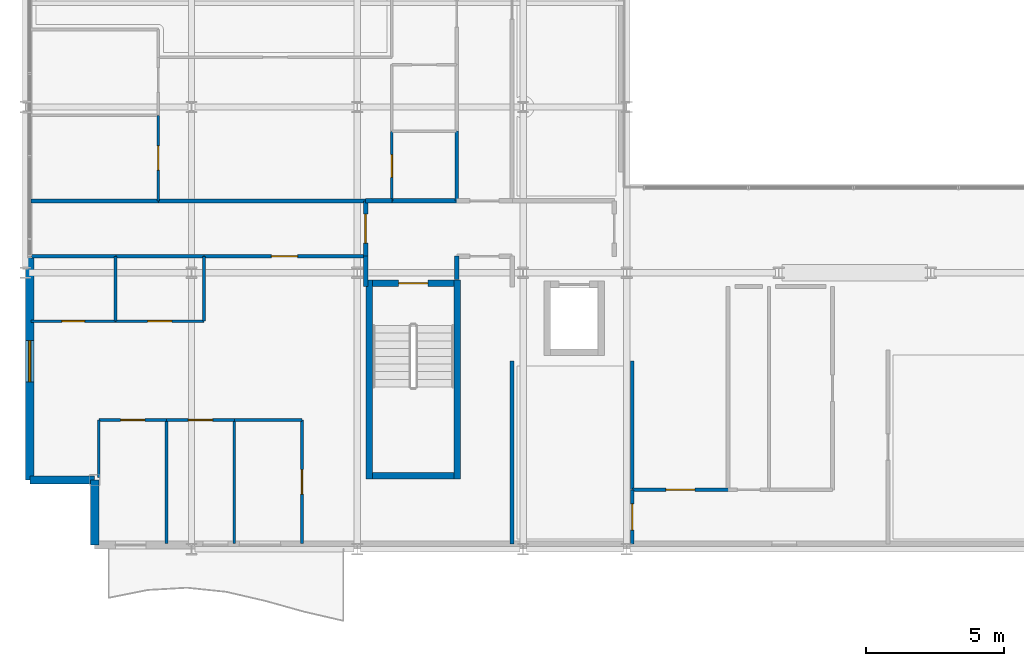
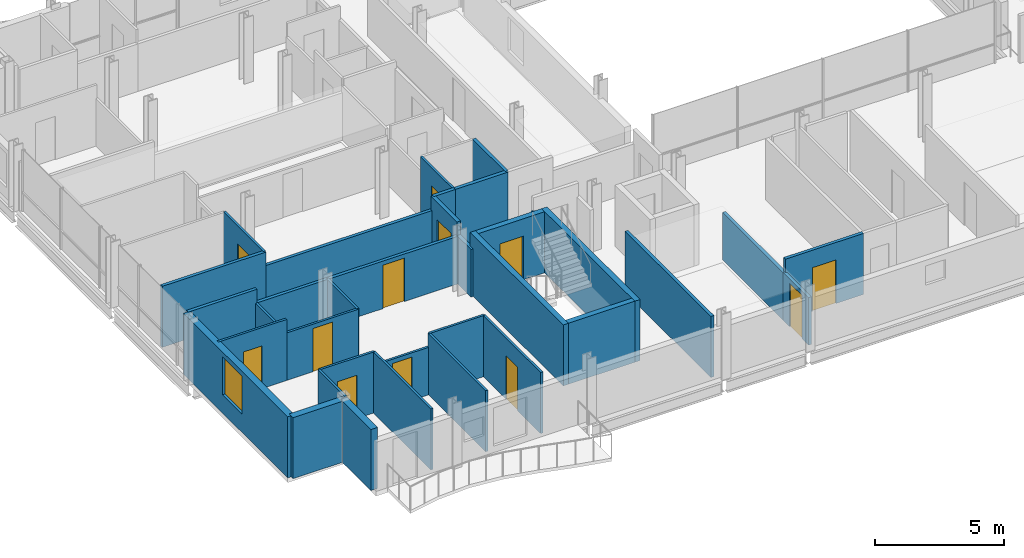
# One storey, part 33 of 41: 35 walls, 12 doors, 1 window, 13 openings.
"""IFC4 building model written with IfcOpenShell, lengths in metres."""

from ifc_helpers import new_model, si_unit, direction, frame, frame_2d, origin, place, context, subcontext, project, spatial, rectangle, extrude, material, layer, layer_set, type_object, element, fill, save


model = new_model("IFC4")

# Units and contexts
model_context = context("Model", 3, precision=1e-05, world=origin(), true_north=direction((0.0, 1.0)))
body_context = subcontext(model_context, "Body", "Model", "MODEL_VIEW")
ifc_project = project(units=[si_unit("LENGTHUNIT", "METRE"), si_unit("AREAUNIT", "SQUARE_METRE"), si_unit("VOLUMEUNIT", "CUBIC_METRE"), si_unit("PLANEANGLEUNIT", "RADIAN"), si_unit("MASSUNIT", "GRAM", prefix="KILO")], contexts=[model_context])

# Site, building, storey
site_placement = place(None, origin())
site = spatial("IfcSite", under=ifc_project, at=site_placement, CompositionType="ELEMENT")
building_placement = place(site_placement, origin())
building = spatial("IfcBuilding", under=site, at=building_placement, Name="Brevholm Reach", CompositionType="ELEMENT")
storey_placement = place(building_placement, frame((0.0, 0.0, 157.300048828125)))
storey = spatial("IfcBuildingStorey", under=building, at=storey_placement, Name="L47", CompositionType="ELEMENT", Elevation=157.300048828125)

# Walls
ifc_material_1 = material(Name="Concrete C45/55", Category="concrete")
ifc_layer_1 = layer(ifc_material_1, 0.239990234375)
ifc_layer_set_1 = layer_set([ifc_layer_1], Name="Concrete C45/55")
wall_type_1 = type_object("IfcWallType", Name="WAL-COR-240", PredefinedType="SHEAR", material=ifc_layer_set_1)
for number, where, z_axis, x_axis, name in (
    (1, (12.429931640625, 2.5400390625, 0.0), (0.0, 0.0, 1.0), (0.0, 1.0, 0.0), "L47 Escape Stair ST-1 Core Wall W"),
    (2, (15.6201171875, 2.5400390625, 0.0), (0.0, 0.0, 1.0), (0.0, 1.0, 0.0), "L47 Escape Stair ST-1 Core Wall E"),
):
    element("IfcWall", number, at=place(storey_placement, frame(where, z_axis=z_axis, x_axis=x_axis)), inside=storey, type_object=wall_type_1, Name=name, PredefinedType="SHEAR", context=body_context, shape_type="SweptSolid", body=[
        extrude(rectangle(XDim=7.199951171875, YDim=0.239990234375, at=frame_2d((3.60009765625, 0.0))), origin(), (0.0, 0.0, 1.0), 2.8798828125),
    ])
wall_1_placement = place(storey_placement, frame((12.550048828125, 2.659912109375, 0.0), z_axis=(0.0, 0.0, 1.0), x_axis=(1.0, 0.0, 0.0)))
element("IfcWall", 3, at=wall_1_placement, inside=storey, type_object=wall_type_1, Name="L47 Escape Stair ST-1 Core Wall S", PredefinedType="SHEAR", context=body_context, shape_type="SweptSolid", body=[
    extrude(rectangle(XDim=2.949951171875, YDim=0.239990234375, at=frame_2d((1.47509765625, 0.0))), origin(), (0.0, 0.0, 1.0), 2.8798828125),
])

# Wall, opening, door
wall_2_placement = place(storey_placement, frame((15.5, 9.6201171875, 0.0), z_axis=(0.0, 0.0, 1.0), x_axis=(-1.0, 0.0, 0.0)))
wall_2 = element("IfcWall", 4, at=wall_2_placement, inside=storey, type_object=wall_type_1, Name="L47 Escape Stair ST-1 Core Wall N", PredefinedType="SHEAR", context=body_context, shape_type="SweptSolid", body=[
    extrude(rectangle(XDim=2.949951171875, YDim=0.239990234375, at=frame_2d((1.47509765625, 0.0))), origin(), (0.0, 0.0, 1.0), 2.8798828125),
])
opening_1_placement = place(wall_2_placement, frame((0.949951171875, 0.0, 0.0)))
opening_1 = element("IfcOpeningElement", 5, at=opening_1_placement, cuts=wall_2, Name="Opening SD-ST-1", PredefinedType="OPENING", context=body_context, shape_type="SweptSolid", body=[
    extrude(rectangle(XDim=1.050048828125, YDim=2.06005859375, at=frame_2d((0.52490234375, 1.030029296875))), frame((0.0, 0.1298828125, 0.0), z_axis=(0.0, -1.0, 0.0), x_axis=(1.0, 0.0, 0.0)), (0.0, 0.0, 1.0), 0.260009765625),
])
ifc_material_2 = material(Name="Hardwood-Lipped Steel-Core Fire and Smoke Door", Category="steel")
door_type_1 = type_object("IfcDoorType", Name="DOR-INT-FD60S", OperationType="NOTDEFINED", PredefinedType="DOOR", material=ifc_material_2)
door_1_placement = place(opening_1_placement, origin())
door_1 = element("IfcDoor", 6, at=door_1_placement, inside=storey, type_object=door_type_1, Name="L47 Protected Stair ST-1 Lobby Door", OperationType="SINGLE_SWING_LEFT", OverallHeight=2.06005859375, OverallWidth=1.050048828125, PredefinedType="DOOR", context=body_context, shape_type="SweptSolid", body=[
    extrude(rectangle(XDim=1.050048828125, YDim=2.06005859375, at=frame_2d((0.52490234375, 1.030029296875))), frame((0.0, 0.02490234375, 0.0), z_axis=(0.0, -1.0, 0.0), x_axis=(1.0, 0.0, 0.0)), (0.0, 0.0, 1.0), 0.050048828125),
])
fill(opening_1, door_1)

# Walls
ifc_material_3 = material(Name="Concrete C40/50", Category="concrete")
ifc_layer_2 = layer(ifc_material_3, 0.300048828125)
ifc_layer_set_2 = layer_set([ifc_layer_2], Name="Concrete C40/50")
wall_type_2 = type_object("IfcWallType", Name="WAL-EXT-300", PredefinedType="STANDARD", material=ifc_layer_set_2)
for number, where, z_axis, x_axis, name in (
    (7, (2.5, 2.5, 0.0), (0.0, 0.0, 1.0), (0.0, -1.0, 0.0), "L47 Facade Wall WAL-L47-CSW1"),
    (8, (0.14990234375, 2.5, 0.0), (0.0, 0.0, 1.0), (1.0, 0.0, 0.0), "L47 Facade Wall WAL-L47-CSW2"),
):
    element("IfcWall", number, at=place(storey_placement, frame(where, z_axis=z_axis, x_axis=x_axis)), inside=storey, type_object=wall_type_2, Name=name, PredefinedType="STANDARD", context=body_context, shape_type="SweptSolid", body=[
        extrude(rectangle(XDim=2.35009765625, YDim=0.300048828125, at=frame_2d((1.175048828125, 0.0))), origin(), (0.0, 0.0, 1.0), 2.8798828125),
    ])

# Wall, opening, window
wall_3_placement = place(storey_placement, frame((0.14990234375, 10.550048828125, 0.0), z_axis=(0.0, 0.0, 1.0), x_axis=(0.0, -1.0, 0.0)))
wall_3 = element("IfcWall", 9, at=wall_3_placement, inside=storey, type_object=wall_type_2, Name="L47 Facade Wall WAL-L47-W-S", PredefinedType="STANDARD", context=body_context, shape_type="SweptSolid", body=[
    extrude(rectangle(XDim=8.050048828125, YDim=0.300048828125, at=frame_2d((4.02490234375, 0.0))), origin(), (0.0, 0.0, 1.0), 2.8798828125),
])
opening_2_placement = place(wall_3_placement, frame((3.0, 0.0, 0.860107421875)))
opening_2 = element("IfcOpeningElement", 10, at=opening_2_placement, cuts=wall_3, Name="Opening WN-05", PredefinedType="OPENING", context=body_context, shape_type="SweptSolid", body=[
    extrude(rectangle(XDim=1.5, YDim=1.800048828125, at=frame_2d((0.75, 0.89990234375))), frame((0.0, 0.159912109375, 0.0), z_axis=(0.0, -1.0, 0.0), x_axis=(1.0, 0.0, 0.0)), (0.0, 0.0, 1.0), 0.320068359375),
])
ifc_material_4 = material(Name="Dark Anodised Aluminium and Solar-Control IGU Glass", Category="aluminium")
window_type = type_object("IfcWindowType", Name="WIN-RES-1500", PartitioningType="SINGLE_PANEL", PredefinedType="WINDOW", material=ifc_material_4)
window_placement = place(opening_2_placement, origin())
window = element("IfcWindow", 11, at=window_placement, inside=storey, type_object=window_type, Name="L47 Window WIN-L47-WS-1", OverallHeight=1.800048828125, OverallWidth=1.5, PartitioningType="SINGLE_PANEL", PredefinedType="WINDOW", context=body_context, shape_type="SweptSolid", body=[
    extrude(rectangle(XDim=1.5, YDim=1.800048828125, at=frame_2d((0.75, 0.89990234375))), frame((0.0, 0.030029296875, 0.0), z_axis=(0.0, -1.0, 0.0), x_axis=(1.0, 0.0, 0.0)), (0.0, 0.0, 1.0), 0.06005859375),
])
fill(opening_2, window)

# Wall
ifc_material_5 = material(Name="Moisture-Resistant Acoustic Gypsum Stud Partition 100 mm", Category="gypsum")
ifc_layer_3 = layer(ifc_material_5, 0.10009765625)
ifc_layer_set_3 = layer_set([ifc_layer_3], Name="Moisture-Resistant Acoustic Gypsum Stud Partition 100 mm")
wall_type_3 = type_object("IfcWallType", Name="WAL-PRT-100", PredefinedType="PARTITIONING", material=ifc_layer_set_3)
wall_4_placement = place(storey_placement, frame((3.25, 8.25, 0.0), z_axis=(0.0, 0.0, 1.0), x_axis=(0.0, 1.0, 0.0)))
element("IfcWall", 12, at=wall_4_placement, inside=storey, type_object=wall_type_3, Name="L47 Internal Partition 068", PredefinedType="PARTITIONING", context=body_context, shape_type="SweptSolid", body=[
    extrude(rectangle(XDim=2.345947265625, YDim=0.10009765625, at=frame_2d((1.1728515625, 0.0))), origin(), (0.0, 0.0, 1.0), 2.24267578125),
])

# Wall, opening, door
wall_5_placement = place(storey_placement, frame((0.199951171875, 8.25, 0.0), z_axis=(0.0, 0.0, 1.0), x_axis=(1.0, 0.0, 0.0)))
wall_5 = element("IfcWall", 13, at=wall_5_placement, inside=storey, type_object=wall_type_3, Name="L47 Internal Partition 069", PredefinedType="PARTITIONING", context=body_context, shape_type="SweptSolid", body=[
    extrude(rectangle(XDim=3.050048828125, YDim=0.10009765625, at=frame_2d((1.52490234375, 0.0))), origin(), (0.0, 0.0, 1.0), 2.8798828125),
])
opening_3_placement = place(wall_5_placement, frame((1.114990234375, 0.0, 0.0)))
opening_3 = element("IfcOpeningElement", 14, at=opening_3_placement, cuts=wall_5, Name="Opening ID-03", PredefinedType="OPENING", context=body_context, shape_type="SweptSolid", body=[
    extrude(rectangle(XDim=0.820068359375, YDim=2.02001953125, at=frame_2d((0.41015625, 1.010009765625))), frame((0.0, 0.06005859375, 0.0), z_axis=(0.0, -1.0, 0.0), x_axis=(1.0, 0.0, 0.0)), (0.0, 0.0, 1.0), 0.1201171875),
])
ifc_material_6 = material(Name="Moisture-Resistant Painted Timber Internal Bathroom Door", Category="wood")
door_type_2 = type_object("IfcDoorType", Name="DOR-BATH-820", OperationType="NOTDEFINED", PredefinedType="DOOR", material=ifc_material_6)
door_2_placement = place(opening_3_placement, origin())
door_2 = element("IfcDoor", 15, at=door_2_placement, inside=storey, type_object=door_type_2, Name="L47 Internal Door 031", OperationType="SINGLE_SWING_LEFT", OverallHeight=2.02001953125, OverallWidth=0.820068359375, PredefinedType="DOOR", context=body_context, shape_type="SweptSolid", body=[
    extrude(rectangle(XDim=0.820068359375, YDim=2.02001953125, at=frame_2d((0.41015625, 1.010009765625))), frame((0.0, 0.02490234375, 0.0), z_axis=(0.0, -1.0, 0.0), x_axis=(1.0, 0.0, 0.0)), (0.0, 0.0, 1.0), 0.050048828125),
])
fill(opening_3, door_2)

wall_6_placement = place(storey_placement, frame((3.25390625, 8.25, 0.0), z_axis=(0.0, 0.0, 1.0), x_axis=(1.0, 0.0, 0.0)))
wall_6 = element("IfcWall", 16, at=wall_6_placement, inside=storey, type_object=wall_type_3, Name="L47 Internal Partition 070", PredefinedType="PARTITIONING", context=body_context, shape_type="SweptSolid", body=[
    extrude(rectangle(XDim=3.196044921875, YDim=0.10009765625, at=frame_2d((1.59814453125, 0.0))), origin(), (0.0, 0.0, 1.0), 2.24267578125),
])
opening_4_placement = place(wall_6_placement, frame((1.157958984375, 0.0, 0.0)))
opening_4 = element("IfcOpeningElement", 17, at=opening_4_placement, cuts=wall_6, Name="Opening ID-01", PredefinedType="OPENING", context=body_context, shape_type="SweptSolid", body=[
    extrude(rectangle(XDim=0.8798828125, YDim=2.0400390625, at=frame_2d((0.43994140625, 1.02001953125))), frame((0.0, 0.06005859375, 0.0), z_axis=(0.0, -1.0, 0.0), x_axis=(1.0, 0.0, 0.0)), (0.0, 0.0, 1.0), 0.1201171875),
])
ifc_material_7 = material(Name="Lacquered Ash Solid-Core Acoustic Internal Door", Category="timber")
door_type_3 = type_object("IfcDoorType", Name="DOR-INT-880", OperationType="NOTDEFINED", PredefinedType="DOOR", material=ifc_material_7)
door_3_placement = place(opening_4_placement, origin())
door_3 = element("IfcDoor", 18, at=door_3_placement, inside=storey, type_object=door_type_3, Name="L47 Internal Door 032", OperationType="SINGLE_SWING_RIGHT", OverallHeight=2.0400390625, OverallWidth=0.8798828125, PredefinedType="DOOR", context=body_context, shape_type="SweptSolid", body=[
    extrude(rectangle(XDim=0.8798828125, YDim=2.0400390625, at=frame_2d((0.43994140625, 1.02001953125))), frame((0.0, 0.02490234375, 0.0), z_axis=(0.0, -1.0, 0.0), x_axis=(1.0, 0.0, 0.0)), (0.0, 0.0, 1.0), 0.050048828125),
])
fill(opening_4, door_3)

# Walls
wall_7_placement = place(storey_placement, frame((6.449951171875, 8.25, 0.0), z_axis=(0.0, 0.0, 1.0), x_axis=(0.0, 1.0, 0.0)))
element("IfcWall", 19, at=wall_7_placement, inside=storey, type_object=wall_type_3, Name="L47 Internal Partition 071", PredefinedType="PARTITIONING", context=body_context, shape_type="SweptSolid", body=[
    extrude(rectangle(XDim=2.345947265625, YDim=0.10009765625, at=frame_2d((1.1728515625, 0.0))), origin(), (0.0, 0.0, 1.0), 2.24267578125),
])
wall_8_placement = place(storey_placement, frame((5.10009765625, 0.199951171875, 0.0), z_axis=(0.0, 0.0, 1.0), x_axis=(0.0, 1.0, 0.0)))
element("IfcWall", 20, at=wall_8_placement, inside=storey, type_object=wall_type_3, Name="L47 Internal Partition 072", PredefinedType="PARTITIONING", context=body_context, shape_type="SweptSolid", body=[
    extrude(rectangle(XDim=4.47216796875, YDim=0.10009765625, at=frame_2d((2.236083984375, 0.0))), origin(), (0.0, 0.0, 1.0), 2.8798828125),
])
wall_9_placement = place(storey_placement, frame((2.64990234375, 2.599365234375, 0.0), z_axis=(0.0, 0.0, 1.0), x_axis=(0.0, 1.0, 0.0)))
element("IfcWall", 21, at=wall_9_placement, inside=storey, type_object=wall_type_3, Name="L47 Internal Partition 073", PredefinedType="PARTITIONING", context=body_context, shape_type="SweptSolid", body=[
    extrude(rectangle(XDim=2.07275390625, YDim=0.10009765625, at=frame_2d((1.036376953125, 0.0))), origin(), (0.0, 0.0, 1.0), 2.8798828125),
])

# Wall, opening, door
wall_10_placement = place(storey_placement, frame((2.64990234375, 4.672119140625, 0.0), z_axis=(0.0, 0.0, 1.0), x_axis=(1.0, 0.0, 0.0)))
wall_10 = element("IfcWall", 22, at=wall_10_placement, inside=storey, type_object=wall_type_3, Name="L47 Internal Partition 074", PredefinedType="PARTITIONING", context=body_context, shape_type="SweptSolid", body=[
    extrude(rectangle(XDim=2.4501953125, YDim=0.10009765625, at=frame_2d((1.22509765625, 0.0))), origin(), (0.0, 0.0, 1.0), 2.8798828125),
])
opening_5_placement = place(wall_10_placement, frame((0.784912109375, 0.0, 0.0)))
opening_5 = element("IfcOpeningElement", 23, at=opening_5_placement, cuts=wall_10, Name="Opening ID-01", PredefinedType="OPENING", context=body_context, shape_type="SweptSolid", body=[
    extrude(rectangle(XDim=0.8798828125, YDim=2.0400390625, at=frame_2d((0.43994140625, 1.02001953125))), frame((0.0, 0.06005859375, 0.0), z_axis=(0.0, -1.0, 0.0), x_axis=(1.0, 0.0, 0.0)), (0.0, 0.0, 1.0), 0.1201171875),
])
door_4_placement = place(opening_5_placement, origin())
door_4 = element("IfcDoor", 24, at=door_4_placement, inside=storey, type_object=door_type_3, Name="L47 Internal Door 033", OperationType="SINGLE_SWING_LEFT", OverallHeight=2.0400390625, OverallWidth=0.8798828125, PredefinedType="DOOR", context=body_context, shape_type="SweptSolid", body=[
    extrude(rectangle(XDim=0.8798828125, YDim=2.0400390625, at=frame_2d((0.43994140625, 1.02001953125))), frame((0.0, 0.02490234375, 0.0), z_axis=(0.0, -1.0, 0.0), x_axis=(1.0, 0.0, 0.0)), (0.0, 0.0, 1.0), 0.050048828125),
])
fill(opening_5, door_4)

# Wall
wall_11_placement = place(storey_placement, frame((7.550048828125, 0.199951171875, 0.0), z_axis=(0.0, 0.0, 1.0), x_axis=(0.0, 1.0, 0.0)))
element("IfcWall", 25, at=wall_11_placement, inside=storey, type_object=wall_type_3, Name="L47 Internal Partition 075", PredefinedType="PARTITIONING", context=body_context, shape_type="SweptSolid", body=[
    extrude(rectangle(XDim=4.47216796875, YDim=0.10009765625, at=frame_2d((2.236083984375, 0.0))), origin(), (0.0, 0.0, 1.0), 2.8798828125),
])

# Wall, opening, door
wall_12_placement = place(storey_placement, frame((5.10400390625, 4.672119140625, 0.0), z_axis=(0.0, 0.0, 1.0), x_axis=(1.0, 0.0, 0.0)))
wall_12 = element("IfcWall", 26, at=wall_12_placement, inside=storey, type_object=wall_type_3, Name="L47 Internal Partition 076", PredefinedType="PARTITIONING", context=body_context, shape_type="SweptSolid", body=[
    extrude(rectangle(XDim=2.446044921875, YDim=0.10009765625, at=frame_2d((1.22314453125, 0.0))), origin(), (0.0, 0.0, 1.0), 2.24267578125),
])
opening_6_placement = place(wall_12_placement, frame((0.782958984375, 0.0, 0.0)))
opening_6 = element("IfcOpeningElement", 27, at=opening_6_placement, cuts=wall_12, Name="Opening ID-01", PredefinedType="OPENING", context=body_context, shape_type="SweptSolid", body=[
    extrude(rectangle(XDim=0.8798828125, YDim=2.0400390625, at=frame_2d((0.43994140625, 1.02001953125))), frame((0.0, 0.06005859375, 0.0), z_axis=(0.0, -1.0, 0.0), x_axis=(1.0, 0.0, 0.0)), (0.0, 0.0, 1.0), 0.1201171875),
])
door_5_placement = place(opening_6_placement, origin())
door_5 = element("IfcDoor", 28, at=door_5_placement, inside=storey, type_object=door_type_3, Name="L47 Internal Door 034", OperationType="SINGLE_SWING_RIGHT", OverallHeight=2.0400390625, OverallWidth=0.8798828125, PredefinedType="DOOR", context=body_context, shape_type="SweptSolid", body=[
    extrude(rectangle(XDim=0.8798828125, YDim=2.0400390625, at=frame_2d((0.43994140625, 1.02001953125))), frame((0.0, 0.02490234375, 0.0), z_axis=(0.0, -1.0, 0.0), x_axis=(1.0, 0.0, 0.0)), (0.0, 0.0, 1.0), 0.050048828125),
])
fill(opening_6, door_5)

wall_13_placement = place(storey_placement, frame((10.0, 0.199951171875, 0.0), z_axis=(0.0, 0.0, 1.0), x_axis=(0.0, 1.0, 0.0)))
wall_13 = element("IfcWall", 29, at=wall_13_placement, inside=storey, type_object=wall_type_3, Name="L47 Internal Partition 077", PredefinedType="PARTITIONING", context=body_context, shape_type="SweptSolid", body=[
    extrude(rectangle(XDim=4.47216796875, YDim=0.10009765625, at=frame_2d((2.236083984375, 0.0))), origin(), (0.0, 0.0, 1.0), 2.8798828125),
])
opening_7_placement = place(wall_13_placement, frame((1.7958984375, 0.0, 0.0)))
opening_7 = element("IfcOpeningElement", 30, at=opening_7_placement, cuts=wall_13, Name="Opening ID-01", PredefinedType="OPENING", context=body_context, shape_type="SweptSolid", body=[
    extrude(rectangle(XDim=0.8798828125, YDim=2.0400390625, at=frame_2d((0.43994140625, 1.02001953125))), frame((0.0, 0.06005859375, 0.0), z_axis=(0.0, -1.0, 0.0), x_axis=(1.0, 0.0, 0.0)), (0.0, 0.0, 1.0), 0.1201171875),
])
door_6_placement = place(opening_7_placement, origin())
door_6 = element("IfcDoor", 31, at=door_6_placement, inside=storey, type_object=door_type_3, Name="L47 Internal Door 035", OperationType="SINGLE_SWING_LEFT", OverallHeight=2.0400390625, OverallWidth=0.8798828125, PredefinedType="DOOR", context=body_context, shape_type="SweptSolid", body=[
    extrude(rectangle(XDim=0.8798828125, YDim=2.0400390625, at=frame_2d((0.43994140625, 1.02001953125))), frame((0.0, 0.02490234375, 0.0), z_axis=(0.0, -1.0, 0.0), x_axis=(1.0, 0.0, 0.0)), (0.0, 0.0, 1.0), 0.050048828125),
])
fill(opening_7, door_6)

# Wall
wall_14_placement = place(storey_placement, frame((7.553955078125, 4.672119140625, 0.0), z_axis=(0.0, 0.0, 1.0), x_axis=(1.0, 0.0, 0.0)))
element("IfcWall", 32, at=wall_14_placement, inside=storey, type_object=wall_type_3, Name="L47 Internal Partition 078", PredefinedType="PARTITIONING", context=body_context, shape_type="SweptSolid", body=[
    extrude(rectangle(XDim=2.446044921875, YDim=0.10009765625, at=frame_2d((1.22314453125, 0.0))), origin(), (0.0, 0.0, 1.0), 2.8798828125),
])

# Wall, opening, door
wall_15_placement = place(storey_placement, frame((13.25, 12.60400390625, 0.0), z_axis=(0.0, 0.0, 1.0), x_axis=(0.0, 1.0, 0.0)))
wall_15 = element("IfcWall", 33, at=wall_15_placement, inside=storey, type_object=wall_type_3, Name="L47 Internal Partition 080", PredefinedType="PARTITIONING", context=body_context, shape_type="SweptSolid", body=[
    extrude(rectangle(XDim=2.51611328125, YDim=0.10009765625, at=frame_2d((1.258056640625, 0.0))), origin(), (0.0, 0.0, 1.0), 2.8798828125),
])
opening_8_placement = place(wall_15_placement, frame((0.847900390625, 0.0, 0.0)))
opening_8 = element("IfcOpeningElement", 34, at=opening_8_placement, cuts=wall_15, Name="Opening ID-03", PredefinedType="OPENING", context=body_context, shape_type="SweptSolid", body=[
    extrude(rectangle(XDim=0.820068359375, YDim=2.02001953125, at=frame_2d((0.41015625, 1.010009765625))), frame((0.0, 0.06005859375, 0.0), z_axis=(0.0, -1.0, 0.0), x_axis=(1.0, 0.0, 0.0)), (0.0, 0.0, 1.0), 0.1201171875),
])
door_7_placement = place(opening_8_placement, origin())
door_7 = element("IfcDoor", 35, at=door_7_placement, inside=storey, type_object=door_type_2, Name="L47 Internal Door 036", OperationType="SINGLE_SWING_RIGHT", OverallHeight=2.02001953125, OverallWidth=0.820068359375, PredefinedType="DOOR", context=body_context, shape_type="SweptSolid", body=[
    extrude(rectangle(XDim=0.820068359375, YDim=2.02001953125, at=frame_2d((0.41015625, 1.010009765625))), frame((0.0, 0.02490234375, 0.0), z_axis=(0.0, -1.0, 0.0), x_axis=(1.0, 0.0, 0.0)), (0.0, 0.0, 1.0), 0.050048828125),
])
fill(opening_8, door_7)

wall_16_placement = place(storey_placement, frame((4.800048828125, 12.60400390625, 0.0), z_axis=(0.0, 0.0, 1.0), x_axis=(0.0, 1.0, 0.0)))
wall_16 = element("IfcWall", 36, at=wall_16_placement, inside=storey, type_object=wall_type_3, Name="L47 Internal Partition 084", PredefinedType="PARTITIONING", context=body_context, shape_type="SweptSolid", body=[
    extrude(rectangle(XDim=3.095947265625, YDim=0.10009765625, at=frame_2d((1.5478515625, 0.0))), origin(), (0.0, 0.0, 1.0), 2.8798828125),
])
opening_9_placement = place(wall_16_placement, frame((1.10791015625, 0.0, 0.0)))
opening_9 = element("IfcOpeningElement", 37, at=opening_9_placement, cuts=wall_16, Name="Opening ID-01", PredefinedType="OPENING", context=body_context, shape_type="SweptSolid", body=[
    extrude(rectangle(XDim=0.8798828125, YDim=2.0400390625, at=frame_2d((0.43994140625, 1.02001953125))), frame((0.0, 0.06005859375, 0.0), z_axis=(0.0, -1.0, 0.0), x_axis=(1.0, 0.0, 0.0)), (0.0, 0.0, 1.0), 0.1201171875),
])
door_8_placement = place(opening_9_placement, origin())
door_8 = element("IfcDoor", 38, at=door_8_placement, inside=storey, type_object=door_type_3, Name="L47 Internal Door 038", OperationType="SINGLE_SWING_RIGHT", OverallHeight=2.0400390625, OverallWidth=0.8798828125, PredefinedType="DOOR", context=body_context, shape_type="SweptSolid", body=[
    extrude(rectangle(XDim=0.8798828125, YDim=2.0400390625, at=frame_2d((0.43994140625, 1.02001953125))), frame((0.0, 0.02490234375, 0.0), z_axis=(0.0, -1.0, 0.0), x_axis=(1.0, 0.0, 0.0)), (0.0, 0.0, 1.0), 0.050048828125),
])
fill(opening_9, door_8)

ifc_material_8 = material(Name="Twin-Stud Acoustic Fire-Rated Gypsum Partition 140 mm", Category="gypsum")
ifc_layer_4 = layer(ifc_material_8, 0.139892578125)
ifc_layer_set_4 = layer_set([ifc_layer_4], Name="Twin-Stud Acoustic Fire-Rated Gypsum Partition 140 mm")
wall_type_4 = type_object("IfcWallType", Name="WAL-PRT-140", PredefinedType="PARTITIONING", material=ifc_layer_set_4)
wall_17_placement = place(storey_placement, frame((21.949951171875, 2.14990234375, 0.0), z_axis=(0.0, 0.0, 1.0), x_axis=(1.0, 0.0, 0.0)))
wall_17 = element("IfcWall", 39, at=wall_17_placement, inside=storey, type_object=wall_type_4, Name="L47 Internal Partition 003", PredefinedType="PARTITIONING", context=body_context, shape_type="SweptSolid", body=[
    extrude(rectangle(XDim=3.4814453125, YDim=0.139892578125, at=frame_2d((1.74072265625, 0.0))), origin(), (0.0, 0.0, 1.0), 2.8798828125),
])
opening_10_placement = place(wall_17_placement, frame((1.2158203125, 0.0, 0.0)))
opening_10 = element("IfcOpeningElement", 40, at=opening_10_placement, cuts=wall_17, Name="Opening FD-01", PredefinedType="OPENING", context=body_context, shape_type="SweptSolid", body=[
    extrude(rectangle(XDim=1.050048828125, YDim=2.06005859375, at=frame_2d((0.52490234375, 1.030029296875))), frame((0.0, 0.079833984375, 0.0), z_axis=(0.0, -1.0, 0.0), x_axis=(1.0, 0.0, 0.0)), (0.0, 0.0, 1.0), 0.159912109375),
])
door_9_placement = place(opening_10_placement, origin())
door_9 = element("IfcDoor", 41, at=door_9_placement, inside=storey, type_object=door_type_1, Name="L47 Internal Door 003", OperationType="SINGLE_SWING_LEFT", OverallHeight=2.06005859375, OverallWidth=1.050048828125, PredefinedType="DOOR", context=body_context, shape_type="SweptSolid", body=[
    extrude(rectangle(XDim=1.050048828125, YDim=2.06005859375, at=frame_2d((0.52490234375, 1.030029296875))), frame((0.0, 0.02490234375, 0.0), z_axis=(0.0, -1.0, 0.0), x_axis=(1.0, 0.0, 0.0)), (0.0, 0.0, 1.0), 0.050048828125),
])
fill(opening_10, door_9)

wall_18_placement = place(storey_placement, frame((21.949951171875, 0.179931640625, 0.0), z_axis=(0.0, 0.0, 1.0), x_axis=(0.0, 1.0, 0.0)))
wall_18 = element("IfcWall", 42, at=wall_18_placement, inside=storey, type_object=wall_type_4, Name="L47 Internal Partition 006", PredefinedType="PARTITIONING", context=body_context, shape_type="SweptSolid", body=[
    extrude(rectangle(XDim=1.969970703125, YDim=0.139892578125, at=frame_2d((0.98486328125, 0.0))), origin(), (0.0, 0.0, 1.0), 2.24267578125),
])
opening_11_placement = place(wall_18_placement, frame((0.510009765625, 0.0, 0.0)))
opening_11 = element("IfcOpeningElement", 43, at=opening_11_placement, cuts=wall_18, Name="Opening ID-30", PredefinedType="OPENING", context=body_context, shape_type="SweptSolid", body=[
    extrude(rectangle(XDim=0.949951171875, YDim=2.050048828125, at=frame_2d((0.47509765625, 1.02490234375))), frame((0.0, 0.079833984375, 0.0), z_axis=(0.0, -1.0, 0.0), x_axis=(1.0, 0.0, 0.0)), (0.0, 0.0, 1.0), 0.159912109375),
])
ifc_material_9 = material(Name="European Oak Veneered Solid-Core Fire Entrance Door", Category="timber")
door_type_4 = type_object("IfcDoorType", Name="DOR-FLT-FD30S", OperationType="NOTDEFINED", PredefinedType="DOOR", material=ifc_material_9)
door_10_placement = place(opening_11_placement, origin())
door_10 = element("IfcDoor", 44, at=door_10_placement, inside=storey, type_object=door_type_4, Name="L47 Internal Door 005", OperationType="SINGLE_SWING_LEFT", OverallHeight=2.050048828125, OverallWidth=0.949951171875, PredefinedType="DOOR", context=body_context, shape_type="SweptSolid", body=[
    extrude(rectangle(XDim=0.949951171875, YDim=2.050048828125, at=frame_2d((0.47509765625, 1.02490234375))), frame((0.0, 0.02490234375, 0.0), z_axis=(0.0, -1.0, 0.0), x_axis=(1.0, 0.0, 0.0)), (0.0, 0.0, 1.0), 0.050048828125),
])
fill(opening_11, door_10)

# Walls
wall_19_placement = place(storey_placement, frame((21.949951171875, 2.154052734375, 0.0), z_axis=(0.0, 0.0, 1.0), x_axis=(0.0, 1.0, 0.0)))
element("IfcWall", 45, at=wall_19_placement, inside=storey, type_object=wall_type_4, Name="L47 Internal Partition 008", PredefinedType="PARTITIONING", context=body_context, shape_type="SweptSolid", body=[
    extrude(rectangle(XDim=4.6572265625, YDim=0.139892578125, at=frame_2d((2.32861328125, 0.0))), origin(), (0.0, 0.0, 1.0), 2.24267578125),
])
wall_20_placement = place(storey_placement, frame((17.60009765625, 0.179931640625, 0.0), z_axis=(0.0, 0.0, 1.0), x_axis=(0.0, 1.0, 0.0)))
element("IfcWall", 46, at=wall_20_placement, inside=storey, type_object=wall_type_4, Name="L47 Internal Partition 014", PredefinedType="PARTITIONING", context=body_context, shape_type="SweptSolid", body=[
    extrude(rectangle(XDim=6.63134765625, YDim=0.139892578125, at=frame_2d((3.315673828125, 0.0))), origin(), (0.0, 0.0, 1.0), 2.8798828125),
])
wall_21_placement = place(storey_placement, frame((15.60009765625, 12.60400390625, 0.0), z_axis=(0.0, 0.0, 1.0), x_axis=(0.0, 1.0, 0.0)))
element("IfcWall", 47, at=wall_21_placement, inside=storey, type_object=wall_type_4, Name="L47 Internal Partition 041", PredefinedType="PARTITIONING", context=body_context, shape_type="SweptSolid", body=[
    extrude(rectangle(XDim=2.52734375, YDim=0.139892578125, at=frame_2d((1.263671875, 0.0))), origin(), (0.0, 0.0, 1.0), 2.8798828125),
])
wall_22_placement = place(storey_placement, frame((0.199951171875, 10.60009765625, 0.0), z_axis=(0.0, 0.0, 1.0), x_axis=(1.0, 0.0, 0.0)))
element("IfcWall", 48, at=wall_22_placement, inside=storey, type_object=wall_type_4, Name="L47 Internal Partition 063", PredefinedType="PARTITIONING", context=body_context, shape_type="SweptSolid", body=[
    extrude(rectangle(XDim=3.061279296875, YDim=0.139892578125, at=frame_2d((1.53076171875, 0.0))), origin(), (0.0, 0.0, 1.0), 2.8798828125),
])
wall_23_placement = place(storey_placement, frame((3.24267578125, 10.60009765625, 0.0), z_axis=(0.0, 0.0, 1.0), x_axis=(1.0, 0.0, 0.0)))
element("IfcWall", 49, at=wall_23_placement, inside=storey, type_object=wall_type_4, Name="L47 Internal Partition 064", PredefinedType="PARTITIONING", context=body_context, shape_type="SweptSolid", body=[
    extrude(rectangle(XDim=3.218505859375, YDim=0.139892578125, at=frame_2d((1.609375, 0.0))), origin(), (0.0, 0.0, 1.0), 2.24267578125),
])

# Wall, opening, door
wall_24_placement = place(storey_placement, frame((6.442626953125, 10.60009765625, 0.0), z_axis=(0.0, 0.0, 1.0), x_axis=(1.0, 0.0, 0.0)))
wall_24 = element("IfcWall", 50, at=wall_24_placement, inside=storey, type_object=wall_type_4, Name="L47 Internal Partition 065", PredefinedType="PARTITIONING", context=body_context, shape_type="SweptSolid", body=[
    extrude(rectangle(XDim=5.853271484375, YDim=0.139892578125, at=frame_2d((2.9267578125, 0.0))), origin(), (0.0, 0.0, 1.0), 2.24267578125),
])
opening_12_placement = place(wall_24_placement, frame((2.45166015625, 0.0, 0.0)))
opening_12 = element("IfcOpeningElement", 51, at=opening_12_placement, cuts=wall_24, Name="Opening ID-30", PredefinedType="OPENING", context=body_context, shape_type="SweptSolid", body=[
    extrude(rectangle(XDim=0.949951171875, YDim=2.050048828125, at=frame_2d((0.47509765625, 1.02490234375))), frame((0.0, 0.079833984375, 0.0), z_axis=(0.0, -1.0, 0.0), x_axis=(1.0, 0.0, 0.0)), (0.0, 0.0, 1.0), 0.159912109375),
])
door_11_placement = place(opening_12_placement, origin())
door_11 = element("IfcDoor", 52, at=door_11_placement, inside=storey, type_object=door_type_4, Name="L47 Internal Door 030", OperationType="SINGLE_SWING_RIGHT", OverallHeight=2.050048828125, OverallWidth=0.949951171875, PredefinedType="DOOR", context=body_context, shape_type="SweptSolid", body=[
    extrude(rectangle(XDim=0.949951171875, YDim=2.050048828125, at=frame_2d((0.47509765625, 1.02490234375))), frame((0.0, 0.02490234375, 0.0), z_axis=(0.0, -1.0, 0.0), x_axis=(1.0, 0.0, 0.0)), (0.0, 0.0, 1.0), 0.050048828125),
])
fill(opening_12, door_11)

# Walls
wall_25_placement = place(storey_placement, frame((0.199951171875, 12.60009765625, 0.0), z_axis=(0.0, 0.0, 1.0), x_axis=(1.0, 0.0, 0.0)))
element("IfcWall", 53, at=wall_25_placement, inside=storey, type_object=wall_type_4, Name="L47 Internal Partition 066", PredefinedType="PARTITIONING", context=body_context, shape_type="SweptSolid", body=[
    extrude(rectangle(XDim=4.611328125, YDim=0.139892578125, at=frame_2d((2.3056640625, 0.0))), origin(), (0.0, 0.0, 1.0), 2.8798828125),
])
wall_26_placement = place(storey_placement, frame((4.792724609375, 12.60009765625, 0.0), z_axis=(0.0, 0.0, 1.0), x_axis=(1.0, 0.0, 0.0)))
element("IfcWall", 54, at=wall_26_placement, inside=storey, type_object=wall_type_4, Name="L47 Internal Partition 067", PredefinedType="PARTITIONING", context=body_context, shape_type="SweptSolid", body=[
    extrude(rectangle(XDim=7.503173828125, YDim=0.139892578125, at=frame_2d((3.75146484375, 0.0))), origin(), (0.0, 0.0, 1.0), 2.24267578125),
])
ifc_material_10 = material(Name="Twin-Frame Fire-Rated Gypsum Board and Mineral Wool 160 mm", Category="gypsum")
ifc_layer_5 = layer(ifc_material_10, 0.159912109375)
ifc_layer_set_5 = layer_set([ifc_layer_5], Name="Twin-Frame Fire-Rated Gypsum Board and Mineral Wool 160 mm")
wall_type_5 = type_object("IfcWallType", Name="WAL-PRT-160", PredefinedType="PARTITIONING", material=ifc_layer_set_5)
wall_27_placement = place(storey_placement, frame((15.60009765625, 9.75, 0.0), z_axis=(0.0, 0.0, 1.0), x_axis=(0.0, 1.0, 0.0)))
element("IfcWall", 55, at=wall_27_placement, inside=storey, type_object=wall_type_5, Name="L47 Internal Partition 015", PredefinedType="PARTITIONING", context=body_context, shape_type="SweptSolid", body=[
    extrude(rectangle(XDim=0.85009765625, YDim=0.159912109375, at=frame_2d((0.425048828125, 0.0))), origin(), (0.0, 0.0, 1.0), 2.24267578125),
])

# Wall, opening, door
wall_28_placement = place(storey_placement, frame((12.300048828125, 10.588623046875, 0.0), z_axis=(0.0, 0.0, 1.0), x_axis=(0.0, 1.0, 0.0)))
wall_28 = element("IfcWall", 56, at=wall_28_placement, inside=storey, type_object=wall_type_5, Name="L47 Internal Partition 029", PredefinedType="PARTITIONING", context=body_context, shape_type="SweptSolid", body=[
    extrude(rectangle(XDim=2.011474609375, YDim=0.159912109375, at=frame_2d((1.005859375, 0.0))), origin(), (0.0, 0.0, 1.0), 2.8798828125),
])
opening_13_placement = place(wall_28_placement, frame((0.480712890625, 0.0, 0.0)))
opening_13 = element("IfcOpeningElement", 57, at=opening_13_placement, cuts=wall_28, Name="Opening FD-01", PredefinedType="OPENING", context=body_context, shape_type="SweptSolid", body=[
    extrude(rectangle(XDim=1.050048828125, YDim=2.06005859375, at=frame_2d((0.52490234375, 1.030029296875))), frame((0.0, 0.08984375, 0.0), z_axis=(0.0, -1.0, 0.0), x_axis=(1.0, 0.0, 0.0)), (0.0, 0.0, 1.0), 0.179931640625),
])
door_12_placement = place(opening_13_placement, origin())
door_12 = element("IfcDoor", 58, at=door_12_placement, inside=storey, type_object=door_type_1, Name="L47 Internal Door 015", OperationType="SINGLE_SWING_LEFT", OverallHeight=2.06005859375, OverallWidth=1.050048828125, PredefinedType="DOOR", context=body_context, shape_type="SweptSolid", body=[
    extrude(rectangle(XDim=1.050048828125, YDim=2.06005859375, at=frame_2d((0.52490234375, 1.030029296875))), frame((0.0, 0.02490234375, 0.0), z_axis=(0.0, -1.0, 0.0), x_axis=(1.0, 0.0, 0.0)), (0.0, 0.0, 1.0), 0.050048828125),
])
fill(opening_13, door_12)

# Walls
wall_29_placement = place(storey_placement, frame((12.300048828125, 9.5, 0.0), z_axis=(0.0, 0.0, 1.0), x_axis=(0.0, 1.0, 0.0)))
element("IfcWall", 59, at=wall_29_placement, inside=storey, type_object=wall_type_5, Name="L47 Internal Partition 030", PredefinedType="PARTITIONING", context=body_context, shape_type="SweptSolid", body=[
    extrude(rectangle(XDim=1.107421875, YDim=0.159912109375, at=frame_2d((0.5537109375, 0.0))), origin(), (0.0, 0.0, 1.0), 2.24267578125),
])
wall_30_placement = place(storey_placement, frame((13.23876953125, 12.60009765625, 0.0), z_axis=(0.0, 0.0, 1.0), x_axis=(1.0, 0.0, 0.0)))
element("IfcWall", 60, at=wall_30_placement, inside=storey, type_object=wall_type_5, Name="L47 Internal Partition 031", PredefinedType="PARTITIONING", context=body_context, shape_type="SweptSolid", body=[
    extrude(rectangle(XDim=2.36865234375, YDim=0.159912109375, at=frame_2d((1.184326171875, 0.0))), origin(), (0.0, 0.0, 1.0), 2.8798828125),
])
wall_31_placement = place(storey_placement, frame((12.300048828125, 12.60009765625, 0.0), z_axis=(0.0, 0.0, 1.0), x_axis=(1.0, 0.0, 0.0)))
element("IfcWall", 61, at=wall_31_placement, inside=storey, type_object=wall_type_5, Name="L47 Internal Partition 032", PredefinedType="PARTITIONING", context=body_context, shape_type="SweptSolid", body=[
    extrude(rectangle(XDim=0.957275390625, YDim=0.159912109375, at=frame_2d((0.478515625, 0.0))), origin(), (0.0, 0.0, 1.0), 2.8798828125),
])

save(model, "model.ifc")
